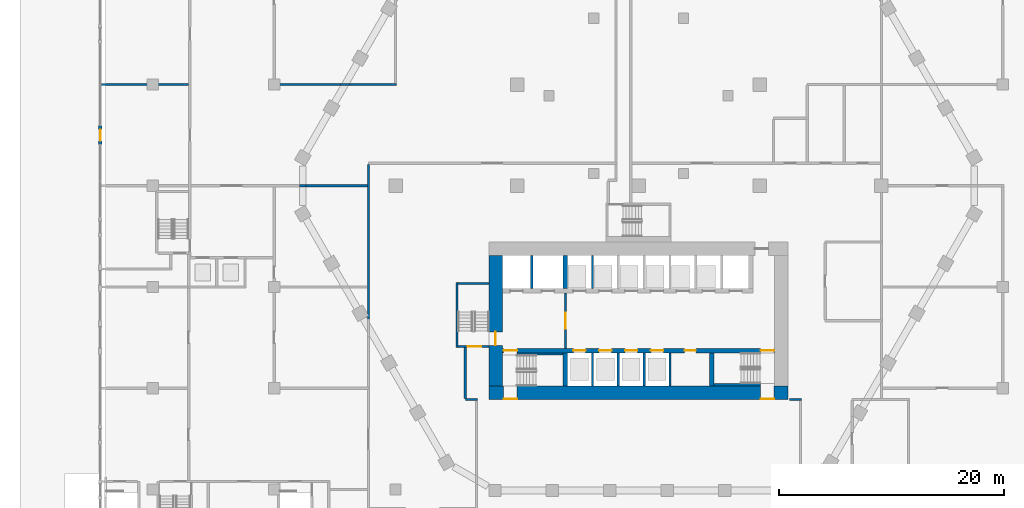
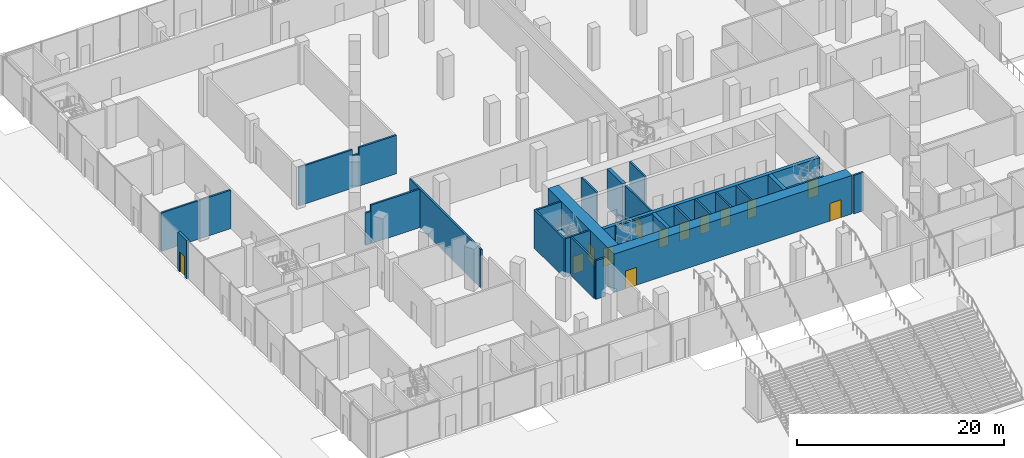
# One storey, part 22 of 57: 29 walls, 13 doors, 13 openings.
"""IFC4 building model written with IfcOpenShell, lengths in metres."""

from ifc_helpers import new_model, si_unit, direction, frame, frame_2d, origin, place, context, subcontext, project, spatial, rectangle, extrude, material, layer, layer_set, type_object, element, fill, save


model = new_model("IFC4")

# Units and contexts
model_context = context("Model", 3, precision=1e-05, world=origin(), true_north=direction((0.0, 1.0)))
body_context = subcontext(model_context, "Body", "Model", "MODEL_VIEW")
ifc_project = project(units=[si_unit("LENGTHUNIT", "METRE"), si_unit("AREAUNIT", "SQUARE_METRE"), si_unit("VOLUMEUNIT", "CUBIC_METRE"), si_unit("PLANEANGLEUNIT", "RADIAN"), si_unit("MASSUNIT", "GRAM", prefix="KILO")], contexts=[model_context])

# Site, building, storey
site_placement = place(None, origin())
site = spatial("IfcSite", under=ifc_project, at=site_placement, CompositionType="ELEMENT")
building_placement = place(site_placement, origin())
building = spatial("IfcBuilding", under=site, at=building_placement, Name="Beryl Residences", CompositionType="ELEMENT")
storey_placement = place(building_placement, origin())
storey = spatial("IfcBuildingStorey", under=building, at=storey_placement, Name="L00", CompositionType="ELEMENT", Elevation=0.0)

# Wall, opening, door
ifc_material_1 = material(Name="Aluminium framed insulated wall", Category="aluminium")
ifc_layer_1 = layer(ifc_material_1, 0.14990234375)
ifc_layer_set_1 = layer_set([ifc_layer_1], Name="GW1 glazed door wall 150 mm")
wall_type_1 = type_object("IfcWallType", Name="GW1 glazed door wall 150 mm", PredefinedType="SOLIDWALL", material=ifc_layer_set_1)
wall_1_placement = place(storey_placement, frame((-47.85009765625, 5.35009765625, 0.0), z_axis=(0.0, 0.0, 1.0), x_axis=(0.0, -1.0, 0.0)))
wall_1 = element("IfcWall", 1, at=wall_1_placement, inside=storey, type_object=wall_type_1, Name="GW1 shopfront door wall L00 W", PredefinedType="SOLIDWALL", context=body_context, shape_type="SweptSolid", body=[
    extrude(rectangle(XDim=1.7001953125, YDim=0.300048828125, at=frame_2d((0.85009765625, 0.0))), origin(), (0.0, 0.0, 1.0), 4.550048828125),
])
opening_1_placement = place(wall_1_placement, frame((1.35009765625, 0.0, 0.0), z_axis=(0.0, 0.0, 1.0), x_axis=(-1.0, 0.0, 0.0)))
opening_1 = element("IfcOpeningElement", 2, at=opening_1_placement, cuts=wall_1, Name="Opening ED4", PredefinedType="OPENING", context=body_context, shape_type="SweptSolid", body=[
    extrude(rectangle(XDim=1.0, YDim=2.39990234375, at=frame_2d((0.5, 1.199951171875))), frame((0.0, 0.159912109375, 0.0), z_axis=(0.0, -1.0, 0.0), x_axis=(1.0, 0.0, 0.0)), (0.0, 0.0, 1.0), 0.320068359375),
])
ifc_material_2 = material(Name="Aluminium and clear glass", Category="aluminium")
door_type_1 = type_object("IfcDoorType", Name="ED4 street door 1000 x 2400 mm", OperationType="SINGLE_SWING_RIGHT", PredefinedType="DOOR", material=ifc_material_2)
door_1_placement = place(opening_1_placement, origin())
door_1 = element("IfcDoor", 3, at=door_1_placement, inside=storey, type_object=door_type_1, Name="ED4 street door L00 W", OperationType="SINGLE_SWING_RIGHT", OverallHeight=2.39990234375, OverallWidth=1.0, PredefinedType="DOOR", context=body_context, shape_type="SweptSolid", body=[
    extrude(rectangle(XDim=1.0, YDim=2.39990234375, at=frame_2d((0.5, 1.199951171875))), frame((0.0, 0.02490234375, 0.0), z_axis=(0.0, -1.0, 0.0), x_axis=(1.0, 0.0, 0.0)), (0.0, 0.0, 1.0), 0.050048828125),
])
fill(opening_1, door_1)

# Walls
ifc_material_3 = material(Name="Double stud gypsum board wall")
ifc_layer_2 = layer(ifc_material_3, 0.199951171875)
ifc_layer_set_2 = layer_set([ifc_layer_2], Name="PT10 tenancy wall 200 mm")
wall_type_2 = type_object("IfcWallType", Name="PT10 tenancy wall 200 mm", PredefinedType="PARTITIONING", material=ifc_layer_set_2)
wall_2_placement = place(storey_placement, frame((-47.75, 9.0, 0.0), z_axis=(0.0, 0.0, 1.0), x_axis=(1.0, 0.0, 0.0)))
element("IfcWall", 4, at=wall_2_placement, inside=storey, type_object=wall_type_2, Name="Wall PT10 L00 013", PredefinedType="PARTITIONING", context=body_context, shape_type="SweptSolid", body=[
    extrude(rectangle(XDim=7.75, YDim=0.199951171875, at=frame_2d((3.875, 0.0))), origin(), (0.0, 0.0, 1.0), 4.550048828125),
])
wall_3_placement = place(storey_placement, frame((-32.39990234375, 9.0, 0.0), z_axis=(0.0, 0.0, 1.0), x_axis=(1.0, 0.0, 0.0)))
element("IfcWall", 5, at=wall_3_placement, inside=storey, type_object=wall_type_2, Name="Wall PT10 L00 014", PredefinedType="PARTITIONING", context=body_context, shape_type="SweptSolid", body=[
    extrude(rectangle(XDim=5.9990234375, YDim=0.199951171875, at=frame_2d((2.99951171875, 0.0))), origin(), (0.0, 0.0, 1.0), 4.550048828125),
])
wall_4_placement = place(storey_placement, frame((-26.5009765625, 9.0, 0.0), z_axis=(0.0, 0.0, 1.0), x_axis=(1.0, 0.0, 0.0)))
element("IfcWall", 6, at=wall_4_placement, inside=storey, type_object=wall_type_2, Name="Wall PT10 L00 015", PredefinedType="PARTITIONING", context=body_context, shape_type="SweptSolid", body=[
    extrude(rectangle(XDim=0.80908203125, YDim=0.199951171875, at=frame_2d((0.404541015625, 0.0))), origin(), (0.0, 0.0, 1.0), 3.820068359375),
])
wall_5_placement = place(storey_placement, frame((-25.69189453125, 9.0, 0.0), z_axis=(0.0, 0.0, 1.0), x_axis=(1.0, 0.0, 0.0)))
element("IfcWall", 7, at=wall_5_placement, inside=storey, type_object=wall_type_2, Name="Wall PT10 L00 016", PredefinedType="PARTITIONING", context=body_context, shape_type="SweptSolid", body=[
    extrude(rectangle(XDim=4.19189453125, YDim=0.199951171875, at=frame_2d((2.095947265625, 0.0))), origin(), (0.0, 0.0, 1.0), 4.550048828125),
])

# Wall, opening, door
ifc_material_4 = material(Name="Concrete masonry", Category="masonry")
ifc_layer_3 = layer(ifc_material_4, 0.199951171875)
ifc_layer_set_3 = layer_set([ifc_layer_3], Name="PT13 lobby wall 200 mm")
wall_type_3 = type_object("IfcWallType", Name="PT13 lobby wall 200 mm", PredefinedType="PARTITIONING", material=ifc_layer_set_3)
wall_6_placement = place(storey_placement, frame((-6.5, -14.449951171875, 0.0), z_axis=(0.0, 0.0, 1.0), x_axis=(0.0, 1.0, 0.0)))
wall_6 = element("IfcWall", 8, at=wall_6_placement, inside=storey, type_object=wall_type_3, Name="Lobby wall 06", PredefinedType="PARTITIONING", context=body_context, shape_type="SweptSolid", body=[
    extrude(rectangle(XDim=4.89990234375, YDim=0.199951171875, at=frame_2d((2.449951171875, 0.0))), origin(), (0.0, 0.0, 1.0), 4.550048828125),
])
opening_2_placement = place(wall_6_placement, frame((3.14990234375, 0.0, 0.0), z_axis=(0.0, 0.0, 1.0), x_axis=(-1.0, 0.0, 0.0)))
opening_2 = element("IfcOpeningElement", 9, at=opening_2_placement, cuts=wall_6, Name="Opening FD-FFL", PredefinedType="OPENING", context=body_context, shape_type="SweptSolid", body=[
    extrude(rectangle(XDim=1.39990234375, YDim=2.10009765625, at=frame_2d((0.699951171875, 1.050048828125))), frame((0.0, 0.10986328125, 0.0), z_axis=(0.0, -1.0, 0.0), x_axis=(1.0, 0.0, 0.0)), (0.0, 0.0, 1.0), 0.219970703125),
])
ifc_material_5 = material(Name="Steel door leaf in steel frame", Category="steel")
door_type_2 = type_object("IfcDoorType", Name="D5 lobby door 1400 x 2100 mm", OperationType="DOUBLE_DOOR_SINGLE_SWING", PredefinedType="DOOR", material=ifc_material_5)
door_2_placement = place(opening_2_placement, origin())
door_2 = element("IfcDoor", 10, at=door_2_placement, inside=storey, type_object=door_type_2, Name="Door FD-FFL L00 001", OperationType="DOUBLE_DOOR_SINGLE_SWING", OverallHeight=2.10009765625, OverallWidth=1.39990234375, PredefinedType="DOOR", context=body_context, shape_type="SweptSolid", body=[
    extrude(rectangle(XDim=1.39990234375, YDim=2.10009765625, at=frame_2d((0.699951171875, 1.050048828125))), frame((0.0, 0.02490234375, 0.0), z_axis=(0.0, -1.0, 0.0), x_axis=(1.0, 0.0, 0.0)), (0.0, 0.0, 1.0), 0.050048828125),
])
fill(opening_2, door_2)

# Walls
ifc_material_6 = material(Name="Double stud gypsum board wall")
ifc_layer_4 = layer(ifc_material_6, 0.199951171875)
ifc_layer_set_4 = layer_set([ifc_layer_4], Name="PT4 corridor wall 200 mm double stud")
wall_type_4 = type_object("IfcWallType", Name="PT4 corridor wall 200 mm double stud", PredefinedType="PARTITIONING", material=ifc_layer_set_4)
wall_7_placement = place(storey_placement, frame((-30.14892578125, 0.0, 0.0), z_axis=(0.0, 0.0, 1.0), x_axis=(1.0, 0.0, 0.0)))
element("IfcWall", 11, at=wall_7_placement, inside=storey, type_object=wall_type_4, Name="Wall PT4 L00 006", PredefinedType="PARTITIONING", context=body_context, shape_type="SweptSolid", body=[
    extrude(rectangle(XDim=0.600830078125, YDim=0.199951171875, at=frame_2d((0.30029296875, 0.0))), origin(), (0.0, 0.0, 1.0), 3.820068359375),
])
wall_8_placement = place(storey_placement, frame((-29.548095703125, 0.0, 0.0), z_axis=(0.0, 0.0, 1.0), x_axis=(1.0, 0.0, 0.0)))
element("IfcWall", 12, at=wall_8_placement, inside=storey, type_object=wall_type_4, Name="Wall PT4 L00 007", PredefinedType="PARTITIONING", context=body_context, shape_type="SweptSolid", body=[
    extrude(rectangle(XDim=5.447998046875, YDim=0.199951171875, at=frame_2d((2.72412109375, 0.0))), origin(), (0.0, 0.0, 1.0), 4.550048828125),
])
ifc_material_7 = material(Name="Concrete C40/50", Category="concrete")
ifc_layer_5 = layer(ifc_material_7, 0.199951171875)
ifc_layer_set_5 = layer_set([ifc_layer_5], Name="PT5 stair enclosure wall 200 mm reinforced concrete C40/50")
wall_type_5 = type_object("IfcWallType", Name="PT5 stair enclosure wall 200 mm reinforced concrete C40/50", PredefinedType="SOLIDWALL", material=ifc_layer_set_5)
wall_9_placement = place(storey_placement, frame((-15.39990234375, -19.0, 0.0), z_axis=(0.0, 0.0, 1.0), x_axis=(1.0, 0.0, 0.0)))
element("IfcWall", 13, at=wall_9_placement, inside=storey, type_object=wall_type_5, Name="Wall PT5 L00 007", PredefinedType="SOLIDWALL", context=body_context, shape_type="SweptSolid", body=[
    extrude(rectangle(XDim=1.099853515625, YDim=0.199951171875, at=frame_2d((0.5498046875, 0.0))), origin(), (0.0, 0.0, 1.0), 4.550048828125),
])
wall_10_placement = place(storey_placement, frame((13.419921875, -19.0, 0.0), z_axis=(0.0, 0.0, 1.0), x_axis=(1.0, 0.0, 0.0)))
element("IfcWall", 14, at=wall_10_placement, inside=storey, type_object=wall_type_5, Name="Wall PT5 L00 008", PredefinedType="SOLIDWALL", context=body_context, shape_type="SweptSolid", body=[
    extrude(rectangle(XDim=1.080078125, YDim=0.199951171875, at=frame_2d((0.5400390625, 0.0))), origin(), (0.0, 0.0, 1.0), 4.550048828125),
])
wall_11_placement = place(storey_placement, frame((-15.39990234375, -18.89990234375, 0.0), z_axis=(0.0, 0.0, 1.0), x_axis=(0.0, 1.0, 0.0)))
element("IfcWall", 15, at=wall_11_placement, inside=storey, type_object=wall_type_5, Name="Wall PT5 L00 037", PredefinedType="SOLIDWALL", context=body_context, shape_type="SweptSolid", body=[
    extrude(rectangle(XDim=4.579833984375, YDim=0.199951171875, at=frame_2d((2.2900390625, 0.0))), origin(), (0.0, 0.0, 1.0), 4.550048828125),
])
wall_12_placement = place(storey_placement, frame((-16.14990234375, -14.39990234375, 0.0), z_axis=(0.0, 0.0, 1.0), x_axis=(0.0, 1.0, 0.0)))
element("IfcWall", 16, at=wall_12_placement, inside=storey, type_object=wall_type_5, Name="Stair wall 01", PredefinedType="SOLIDWALL", context=body_context, shape_type="SweptSolid", body=[
    extrude(rectangle(XDim=5.7998046875, YDim=0.199951171875, at=frame_2d((2.89990234375, 0.0))), origin(), (0.0, 0.0, 1.0), 4.550048828125),
])

# Wall, opening, door
wall_13_placement = place(storey_placement, frame((-16.050048828125, -14.300048828125, 0.0), z_axis=(0.0, 0.0, 1.0), x_axis=(1.0, 0.0, 0.0)))
wall_13 = element("IfcWall", 17, at=wall_13_placement, inside=storey, type_object=wall_type_5, Name="Stair wall 02", PredefinedType="SOLIDWALL", context=body_context, shape_type="SweptSolid", body=[
    extrude(rectangle(XDim=2.75, YDim=0.199951171875, at=frame_2d((1.375, 0.0))), origin(), (0.0, 0.0, 1.0), 4.550048828125),
])
opening_3_placement = place(wall_13_placement, frame((2.050048828125, 0.0, 0.0), z_axis=(0.0, 0.0, 1.0), x_axis=(-1.0, 0.0, 0.0)))
opening_3 = element("IfcOpeningElement", 18, at=opening_3_placement, cuts=wall_13, Name="Opening XD-2", PredefinedType="OPENING", context=body_context, shape_type="SweptSolid", body=[
    extrude(rectangle(XDim=1.199951171875, YDim=2.10009765625, at=frame_2d((0.60009765625, 1.050048828125))), frame((0.0, 0.10986328125, 0.0), z_axis=(0.0, -1.0, 0.0), x_axis=(1.0, 0.0, 0.0)), (0.0, 0.0, 1.0), 0.219970703125),
])
ifc_material_8 = material(Name="Steel door leaf in steel frame", Category="steel")
door_type_3 = type_object("IfcDoorType", Name="D4 stair door 1200 x 2100 mm", OperationType="SINGLE_SWING_LEFT", PredefinedType="DOOR", material=ifc_material_8)
door_3_placement = place(opening_3_placement, origin())
door_3 = element("IfcDoor", 19, at=door_3_placement, inside=storey, type_object=door_type_3, Name="Door XD-2 L00 001", OperationType="SINGLE_SWING_RIGHT", OverallHeight=2.10009765625, OverallWidth=1.199951171875, PredefinedType="DOOR", context=body_context, shape_type="SweptSolid", body=[
    extrude(rectangle(XDim=1.199951171875, YDim=2.10009765625, at=frame_2d((0.60009765625, 1.050048828125))), frame((0.0, 0.02490234375, 0.0), z_axis=(0.0, -1.0, 0.0), x_axis=(1.0, 0.0, 0.0)), (0.0, 0.0, 1.0), 0.050048828125),
])
fill(opening_3, door_3)

# Walls
wall_14_placement = place(storey_placement, frame((-16.050048828125, -8.699951171875, 0.0), z_axis=(0.0, 0.0, 1.0), x_axis=(1.0, 0.0, 0.0)))
element("IfcWall", 20, at=wall_14_placement, inside=storey, type_object=wall_type_5, Name="Stair wall 03", PredefinedType="SOLIDWALL", context=body_context, shape_type="SweptSolid", body=[
    extrude(rectangle(XDim=2.75, YDim=0.199951171875, at=frame_2d((1.375, 0.0))), origin(), (0.0, 0.0, 1.0), 4.550048828125),
])
wall_15_placement = place(storey_placement, frame((-10.800048828125, -14.949951171875, 0.0), z_axis=(0.0, 0.0, 1.0), x_axis=(1.0, 0.0, 0.0)))
element("IfcWall", 21, at=wall_15_placement, inside=storey, type_object=wall_type_5, Name="Stair wall 04", PredefinedType="SOLIDWALL", context=body_context, shape_type="SweptSolid", body=[
    extrude(rectangle(XDim=4.10009765625, YDim=0.199951171875, at=frame_2d((2.050048828125, 0.0))), origin(), (0.0, 0.0, 1.0), 4.550048828125),
])
wall_16_placement = place(storey_placement, frame((6.699951171875, -17.699951171875, 0.0), z_axis=(0.0, 0.0, 1.0), x_axis=(1.0, 0.0, 0.0)))
element("IfcWall", 22, at=wall_16_placement, inside=storey, type_object=wall_type_5, Name="Stair wall 16", PredefinedType="SOLIDWALL", context=body_context, shape_type="SweptSolid", body=[
    extrude(rectangle(XDim=4.150146484375, YDim=0.199951171875, at=frame_2d((2.0751953125, 0.0))), origin(), (0.0, 0.0, 1.0), 4.550048828125),
])
ifc_material_9 = material(Name="Concrete C40/50", Category="concrete")
ifc_layer_6 = layer(ifc_material_9, 0.199951171875)
ifc_layer_set_6 = layer_set([ifc_layer_6], Name="PT6 lift shaft wall 200 mm reinforced concrete C40/50")
wall_type_6 = type_object("IfcWallType", Name="PT6 lift shaft wall 200 mm reinforced concrete C40/50", PredefinedType="SOLIDWALL", material=ifc_layer_set_6)
for number, where, z_axis, x_axis, name in (
    (23, (-9.5, -9.14990234375, 0.0), (0.0, 0.0, 1.0), (0.0, 1.0, 0.0), "Lift shaft wall 05"),
    (24, (-4.10009765625, -17.800048828125, 0.0), (0.0, 0.0, 1.0), (0.0, 1.0, 0.0), "Lift shaft wall 07"),
    (25, (-4.10009765625, -9.14990234375, 0.0), (0.0, 0.0, 1.0), (0.0, 1.0, 0.0), "Lift shaft wall 08"),
    (26, (-1.800048828125, -17.800048828125, 0.0), (0.0, 0.0, 1.0), (0.0, 1.0, 0.0), "Lift shaft wall 09"),
    (27, (0.5, -17.800048828125, 0.0), (0.0, 0.0, 1.0), (0.0, 1.0, 0.0), "Lift shaft wall 11"),
    (28, (2.800048828125, -17.800048828125, 0.0), (0.0, 0.0, 1.0), (0.0, 1.0, 0.0), "Lift shaft wall 13"),
):
    element("IfcWall", number, at=place(storey_placement, frame(where, z_axis=z_axis, x_axis=x_axis)), inside=storey, type_object=wall_type_6, Name=name, PredefinedType="SOLIDWALL", context=body_context, shape_type="SweptSolid", body=[
        extrude(rectangle(XDim=2.949951171875, YDim=0.199951171875, at=frame_2d((1.47509765625, 0.0))), origin(), (0.0, 0.0, 1.0), 4.550048828125),
    ])
ifc_material_10 = material(Name="Concrete C40/50", Category="concrete")
ifc_layer_7 = layer(ifc_material_10, 0.199951171875)
ifc_layer_set_7 = layer_set([ifc_layer_7], Name="PT9-200 plant room wall 200 mm")
wall_type_7 = type_object("IfcWallType", Name="PT9-200 plant room wall 200 mm", PredefinedType="SOLIDWALL", material=ifc_layer_set_7)
wall_17_placement = place(storey_placement, frame((-24.0, -11.85791015625, 0.0), z_axis=(0.0, 0.0, 1.0), x_axis=(0.0, 1.0, 0.0)))
element("IfcWall", 29, at=wall_17_placement, inside=storey, type_object=wall_type_7, Name="Wall PT9-200 L00 004", PredefinedType="SOLIDWALL", context=body_context, shape_type="SweptSolid", body=[
    extrude(rectangle(XDim=13.7578125, YDim=0.199951171875, at=frame_2d((6.87890625, 0.0))), origin(), (0.0, 0.0, 1.0), 4.550048828125),
])

# Wall, openings, doors
ifc_material_11 = material(Name="Concrete C80/95", Category="concrete")
ifc_layer_8 = layer(ifc_material_11, 1.199951171875)
ifc_layer_set_8 = layer_set([ifc_layer_8], Name="SW1 core outer wall 1200 mm C80/95")
wall_type_8 = type_object("IfcWallType", Name="SW1 core outer wall 1200 mm C80/95", PredefinedType="SHEAR", material=ifc_layer_set_8)
wall_18_placement = place(storey_placement, frame((-13.300048828125, -18.39990234375, 0.0), z_axis=(0.0, 0.0, 1.0), x_axis=(1.0, 0.0, 0.0)))
wall_18 = element("IfcWall", 30, at=wall_18_placement, inside=storey, type_object=wall_type_8, Name="Core wall S L00", PredefinedType="SHEAR", context=body_context, shape_type="SweptSolid", body=[
    extrude(rectangle(XDim=26.60009765625, YDim=1.199951171875, at=frame_2d((13.300048828125, 0.0))), origin(), (0.0, 0.0, 1.0), 4.550048828125),
])
opening_4_placement = place(wall_18_placement, frame((2.5, 0.0, 0.0), z_axis=(0.0, 0.0, 1.0), x_axis=(-1.0, 0.0, 0.0)))
opening_4 = element("IfcOpeningElement", 31, at=opening_4_placement, cuts=wall_18, Name="Opening XD-1", PredefinedType="OPENING", context=body_context, shape_type="SweptSolid", body=[
    extrude(rectangle(XDim=1.199951171875, YDim=2.10009765625, at=frame_2d((0.60009765625, 1.050048828125))), frame((0.0, 0.60986328125, 0.0), z_axis=(0.0, -1.0, 0.0), x_axis=(1.0, 0.0, 0.0)), (0.0, 0.0, 1.0), 1.219970703125),
])
opening_5_placement = place(wall_18_placement, frame((25.349853515625, 0.0, 0.0), z_axis=(0.0, 0.0, 1.0), x_axis=(-1.0, 0.0, 0.0)))
opening_5 = element("IfcOpeningElement", 32, at=opening_5_placement, cuts=wall_18, Name="Opening XD-3", PredefinedType="OPENING", context=body_context, shape_type="SweptSolid", body=[
    extrude(rectangle(XDim=1.199951171875, YDim=2.10009765625, at=frame_2d((0.60009765625, 1.050048828125))), frame((0.0, 0.60986328125, 0.0), z_axis=(0.0, -1.0, 0.0), x_axis=(1.0, 0.0, 0.0)), (0.0, 0.0, 1.0), 1.219970703125),
])
door_4_placement = place(opening_4_placement, origin())
door_4 = element("IfcDoor", 33, at=door_4_placement, inside=storey, type_object=door_type_3, Name="Door XD-1 L00 001", OperationType="SINGLE_SWING_LEFT", OverallHeight=2.10009765625, OverallWidth=1.199951171875, PredefinedType="DOOR", context=body_context, shape_type="SweptSolid", body=[
    extrude(rectangle(XDim=1.199951171875, YDim=2.10009765625, at=frame_2d((0.60009765625, 1.050048828125))), frame((0.0, 0.58984375, 0.0), z_axis=(0.0, -1.0, 0.0), x_axis=(1.0, 0.0, 0.0)), (0.0, 0.0, 1.0), 0.050048828125),
])
fill(opening_4, door_4)
door_5_placement = place(opening_5_placement, origin())
door_5 = element("IfcDoor", 34, at=door_5_placement, inside=storey, type_object=door_type_3, Name="Door XD-3 L00 001", OperationType="SINGLE_SWING_LEFT", OverallHeight=2.10009765625, OverallWidth=1.199951171875, PredefinedType="DOOR", context=body_context, shape_type="SweptSolid", body=[
    extrude(rectangle(XDim=1.199951171875, YDim=2.10009765625, at=frame_2d((0.60009765625, 1.050048828125))), frame((0.0, 0.58984375, 0.0), z_axis=(0.0, -1.0, 0.0), x_axis=(1.0, 0.0, 0.0)), (0.0, 0.0, 1.0), 0.050048828125),
])
fill(opening_5, door_5)

# Wall, opening, door
wall_19_placement = place(storey_placement, frame((-12.699951171875, -17.800048828125, 0.0), z_axis=(0.0, 0.0, 1.0), x_axis=(0.0, 1.0, 0.0)))
wall_19 = element("IfcWall", 35, at=wall_19_placement, inside=storey, type_object=wall_type_8, Name="Core wall W L00", PredefinedType="SHEAR", context=body_context, shape_type="SweptSolid", body=[
    extrude(rectangle(XDim=11.60009765625, YDim=1.199951171875, at=frame_2d((5.800048828125, 0.0))), origin(), (0.0, 0.0, 1.0), 4.550048828125),
])
opening_6_placement = place(wall_19_placement, frame((3.60009765625, 0.0, 0.0)))
opening_6 = element("IfcOpeningElement", 36, at=opening_6_placement, cuts=wall_19, Name="Opening SD-2", PredefinedType="OPENING", context=body_context, shape_type="SweptSolid", body=[
    extrude(rectangle(XDim=1.199951171875, YDim=2.10009765625, at=frame_2d((0.60009765625, 1.050048828125))), frame((0.0, 0.60986328125, 0.0), z_axis=(0.0, -1.0, 0.0), x_axis=(1.0, 0.0, 0.0)), (0.0, 0.0, 1.0), 1.219970703125),
])
door_6_placement = place(opening_6_placement, origin())
door_6 = element("IfcDoor", 37, at=door_6_placement, inside=storey, type_object=door_type_3, Name="Door SD-2 L00 001", OperationType="SINGLE_SWING_RIGHT", OverallHeight=2.10009765625, OverallWidth=1.199951171875, PredefinedType="DOOR", context=body_context, shape_type="SweptSolid", body=[
    extrude(rectangle(XDim=1.199951171875, YDim=2.10009765625, at=frame_2d((0.60009765625, 1.050048828125))), frame((0.0, 0.02490234375, 0.0), z_axis=(0.0, -1.0, 0.0), x_axis=(1.0, 0.0, 0.0)), (0.0, 0.0, 1.0), 0.050048828125),
])
fill(opening_6, door_6)

# Wall, openings, doors
ifc_material_12 = material(Name="Concrete C80/95", Category="concrete")
ifc_layer_9 = layer(ifc_material_12, 0.39990234375)
ifc_layer_set_9 = layer_set([ifc_layer_9], Name="SW6 core internal wall 400 mm C80/95")
wall_type_9 = type_object("IfcWallType", Name="SW6 core internal wall 400 mm C80/95", PredefinedType="SHEAR", material=ifc_layer_set_9)
wall_20_placement = place(storey_placement, frame((-12.10009765625, -14.64990234375, 0.0), z_axis=(0.0, 0.0, 1.0), x_axis=(1.0, 0.0, 0.0)))
wall_20 = element("IfcWall", 38, at=wall_20_placement, inside=storey, type_object=wall_type_9, Name="Core wall SP1 L00", PredefinedType="SHEAR", context=body_context, shape_type="SweptSolid", body=[
    extrude(rectangle(XDim=24.2001953125, YDim=0.39990234375, at=frame_2d((12.10009765625, 0.0))), origin(), (0.0, 0.0, 1.0), 4.550048828125),
])
opening_7_placement = place(wall_20_placement, frame((6.300048828125, 0.0, 0.0)))
opening_7 = element("IfcOpeningElement", 39, at=opening_7_placement, cuts=wall_20, Name="Opening LD-SH1", PredefinedType="OPENING", context=body_context, shape_type="SweptSolid", body=[
    extrude(rectangle(XDim=1.10009765625, YDim=2.10009765625, at=frame_2d((0.550048828125, 1.050048828125))), frame((0.0, 0.2099609375, 0.0), z_axis=(0.0, -1.0, 0.0), x_axis=(1.0, 0.0, 0.0)), (0.0, 0.0, 1.0), 0.419921875),
])
opening_8_placement = place(wall_20_placement, frame((8.60009765625, 0.0, 0.0)))
opening_8 = element("IfcOpeningElement", 40, at=opening_8_placement, cuts=wall_20, Name="Opening LD-SH2", PredefinedType="OPENING", context=body_context, shape_type="SweptSolid", body=[
    extrude(rectangle(XDim=1.10009765625, YDim=2.10009765625, at=frame_2d((0.550048828125, 1.050048828125))), frame((0.0, 0.2099609375, 0.0), z_axis=(0.0, -1.0, 0.0), x_axis=(1.0, 0.0, 0.0)), (0.0, 0.0, 1.0), 0.419921875),
])
opening_9_placement = place(wall_20_placement, frame((10.89990234375, 0.0, 0.0)))
opening_9 = element("IfcOpeningElement", 41, at=opening_9_placement, cuts=wall_20, Name="Opening LD-SH3", PredefinedType="OPENING", context=body_context, shape_type="SweptSolid", body=[
    extrude(rectangle(XDim=1.10009765625, YDim=2.10009765625, at=frame_2d((0.550048828125, 1.050048828125))), frame((0.0, 0.2099609375, 0.0), z_axis=(0.0, -1.0, 0.0), x_axis=(1.0, 0.0, 0.0)), (0.0, 0.0, 1.0), 0.419921875),
])
opening_10_placement = place(wall_20_placement, frame((13.199951171875, 0.0, 0.0)))
opening_10 = element("IfcOpeningElement", 42, at=opening_10_placement, cuts=wall_20, Name="Opening LD-SH4", PredefinedType="OPENING", context=body_context, shape_type="SweptSolid", body=[
    extrude(rectangle(XDim=1.10009765625, YDim=2.10009765625, at=frame_2d((0.550048828125, 1.050048828125))), frame((0.0, 0.2099609375, 0.0), z_axis=(0.0, -1.0, 0.0), x_axis=(1.0, 0.0, 0.0)), (0.0, 0.0, 1.0), 0.419921875),
])
opening_11_placement = place(wall_20_placement, frame((1.300048828125, 0.0, 0.0), z_axis=(0.0, 0.0, 1.0), x_axis=(-1.0, 0.0, 0.0)))
opening_11 = element("IfcOpeningElement", 43, at=opening_11_placement, cuts=wall_20, Name="Opening SD-1", PredefinedType="OPENING", context=body_context, shape_type="SweptSolid", body=[
    extrude(rectangle(XDim=1.199951171875, YDim=2.10009765625, at=frame_2d((0.60009765625, 1.050048828125))), frame((0.0, 0.2099609375, 0.0), z_axis=(0.0, -1.0, 0.0), x_axis=(1.0, 0.0, 0.0)), (0.0, 0.0, 1.0), 0.419921875),
])
opening_12_placement = place(wall_20_placement, frame((24.14990234375, 0.0, 0.0), z_axis=(0.0, 0.0, 1.0), x_axis=(-1.0, 0.0, 0.0)))
opening_12 = element("IfcOpeningElement", 44, at=opening_12_placement, cuts=wall_20, Name="Opening SD-3", PredefinedType="OPENING", context=body_context, shape_type="SweptSolid", body=[
    extrude(rectangle(XDim=1.199951171875, YDim=2.10009765625, at=frame_2d((0.60009765625, 1.050048828125))), frame((0.0, 0.2099609375, 0.0), z_axis=(0.0, -1.0, 0.0), x_axis=(1.0, 0.0, 0.0)), (0.0, 0.0, 1.0), 0.419921875),
])
opening_13_placement = place(wall_20_placement, frame((17.199951171875, 0.0, 0.0), z_axis=(0.0, 0.0, 1.0), x_axis=(-1.0, 0.0, 0.0)))
opening_13 = element("IfcOpeningElement", 45, at=opening_13_placement, cuts=wall_20, Name="Opening CD-D-S1", PredefinedType="OPENING", context=body_context, shape_type="SweptSolid", body=[
    extrude(rectangle(XDim=1.0, YDim=2.10009765625, at=frame_2d((0.5, 1.050048828125))), frame((0.0, 0.2099609375, 0.0), z_axis=(0.0, -1.0, 0.0), x_axis=(1.0, 0.0, 0.0)), (0.0, 0.0, 1.0), 0.419921875),
])
ifc_material_13 = material(Name="Steel door leaf in steel frame", Category="steel")
door_type_4 = type_object("IfcDoorType", Name="D18 service room door 1000 x 2100 mm", OperationType="SINGLE_SWING_LEFT", PredefinedType="DOOR", material=ifc_material_13)
door_7_placement = place(opening_13_placement, origin())
door_7 = element("IfcDoor", 46, at=door_7_placement, inside=storey, type_object=door_type_4, Name="Door CD-D-S1 L00 001", OperationType="SINGLE_SWING_RIGHT", OverallHeight=2.10009765625, OverallWidth=1.0, PredefinedType="DOOR", context=body_context, shape_type="SweptSolid", body=[
    extrude(rectangle(XDim=1.0, YDim=2.10009765625, at=frame_2d((0.5, 1.050048828125))), frame((0.0, 0.02490234375, 0.0), z_axis=(0.0, -1.0, 0.0), x_axis=(1.0, 0.0, 0.0)), (0.0, 0.0, 1.0), 0.050048828125),
])
fill(opening_13, door_7)
door_8_placement = place(opening_11_placement, origin())
door_8 = element("IfcDoor", 47, at=door_8_placement, inside=storey, type_object=door_type_3, Name="Door SD-1 L00 001", OperationType="SINGLE_SWING_RIGHT", OverallHeight=2.10009765625, OverallWidth=1.199951171875, PredefinedType="DOOR", context=body_context, shape_type="SweptSolid", body=[
    extrude(rectangle(XDim=1.199951171875, YDim=2.10009765625, at=frame_2d((0.60009765625, 1.050048828125))), frame((0.0, 0.02490234375, 0.0), z_axis=(0.0, -1.0, 0.0), x_axis=(1.0, 0.0, 0.0)), (0.0, 0.0, 1.0), 0.050048828125),
])
fill(opening_11, door_8)
door_9_placement = place(opening_12_placement, origin())
door_9 = element("IfcDoor", 48, at=door_9_placement, inside=storey, type_object=door_type_3, Name="Door SD-3 L00 001", OperationType="SINGLE_SWING_RIGHT", OverallHeight=2.10009765625, OverallWidth=1.199951171875, PredefinedType="DOOR", context=body_context, shape_type="SweptSolid", body=[
    extrude(rectangle(XDim=1.199951171875, YDim=2.10009765625, at=frame_2d((0.60009765625, 1.050048828125))), frame((0.0, 0.02490234375, 0.0), z_axis=(0.0, -1.0, 0.0), x_axis=(1.0, 0.0, 0.0)), (0.0, 0.0, 1.0), 0.050048828125),
])
fill(opening_12, door_9)
ifc_material_14 = material(Name="Stainless steel sliding door", Category="steel")
door_type_5 = type_object("IfcDoorType", Name="LD1 lift landing door 1100 x 2100 mm", OperationType="DOUBLE_DOOR_SLIDING", PredefinedType="DOOR", material=ifc_material_14)
door_10_placement = place(opening_7_placement, origin())
door_10 = element("IfcDoor", 49, at=door_10_placement, inside=storey, type_object=door_type_5, Name="Lift landing door SH1", OperationType="DOUBLE_DOOR_SLIDING", OverallHeight=2.10009765625, OverallWidth=1.10009765625, PredefinedType="DOOR", context=body_context, shape_type="SweptSolid", body=[
    extrude(rectangle(XDim=1.10009765625, YDim=2.10009765625, at=frame_2d((0.550048828125, 1.050048828125))), frame((0.0, 0.02490234375, 0.0), z_axis=(0.0, -1.0, 0.0), x_axis=(1.0, 0.0, 0.0)), (0.0, 0.0, 1.0), 0.050048828125),
])
fill(opening_7, door_10)
door_11_placement = place(opening_8_placement, origin())
door_11 = element("IfcDoor", 50, at=door_11_placement, inside=storey, type_object=door_type_5, Name="Lift landing door SH2", OperationType="DOUBLE_DOOR_SLIDING", OverallHeight=2.10009765625, OverallWidth=1.10009765625, PredefinedType="DOOR", context=body_context, shape_type="SweptSolid", body=[
    extrude(rectangle(XDim=1.10009765625, YDim=2.10009765625, at=frame_2d((0.550048828125, 1.050048828125))), frame((0.0, 0.02490234375, 0.0), z_axis=(0.0, -1.0, 0.0), x_axis=(1.0, 0.0, 0.0)), (0.0, 0.0, 1.0), 0.050048828125),
])
fill(opening_8, door_11)
door_12_placement = place(opening_9_placement, origin())
door_12 = element("IfcDoor", 51, at=door_12_placement, inside=storey, type_object=door_type_5, Name="Lift landing door SH3", OperationType="DOUBLE_DOOR_SLIDING", OverallHeight=2.10009765625, OverallWidth=1.10009765625, PredefinedType="DOOR", context=body_context, shape_type="SweptSolid", body=[
    extrude(rectangle(XDim=1.10009765625, YDim=2.10009765625, at=frame_2d((0.550048828125, 1.050048828125))), frame((0.0, 0.02490234375, 0.0), z_axis=(0.0, -1.0, 0.0), x_axis=(1.0, 0.0, 0.0)), (0.0, 0.0, 1.0), 0.050048828125),
])
fill(opening_9, door_12)
door_13_placement = place(opening_10_placement, origin())
door_13 = element("IfcDoor", 52, at=door_13_placement, inside=storey, type_object=door_type_5, Name="Lift landing door SH4", OperationType="DOUBLE_DOOR_SLIDING", OverallHeight=2.10009765625, OverallWidth=1.10009765625, PredefinedType="DOOR", context=body_context, shape_type="SweptSolid", body=[
    extrude(rectangle(XDim=1.10009765625, YDim=2.10009765625, at=frame_2d((0.550048828125, 1.050048828125))), frame((0.0, 0.02490234375, 0.0), z_axis=(0.0, -1.0, 0.0), x_axis=(1.0, 0.0, 0.0)), (0.0, 0.0, 1.0), 0.050048828125),
])
fill(opening_10, door_13)

# Walls
for number, where, z_axis, x_axis, name in (
    (53, (-6.5, -17.800048828125, 0.0), (0.0, 0.0, 1.0), (0.0, 1.0, 0.0), "Core wall XS1 L00"),
    (54, (6.5, -17.800048828125, 0.0), (0.0, 0.0, 1.0), (0.0, 1.0, 0.0), "Core wall XS2 L00"),
    (55, (-6.5, -9.14990234375, 0.0), (0.0, 0.0, 1.0), (0.0, 1.0, 0.0), "Core wall XN1 L00"),
):
    element("IfcWall", number, at=place(storey_placement, frame(where, z_axis=z_axis, x_axis=x_axis)), inside=storey, type_object=wall_type_9, Name=name, PredefinedType="SHEAR", context=body_context, shape_type="SweptSolid", body=[
        extrude(rectangle(XDim=2.949951171875, YDim=0.39990234375, at=frame_2d((1.47509765625, 0.0))), origin(), (0.0, 0.0, 1.0), 4.550048828125),
    ])

save(model, "model.ifc")
